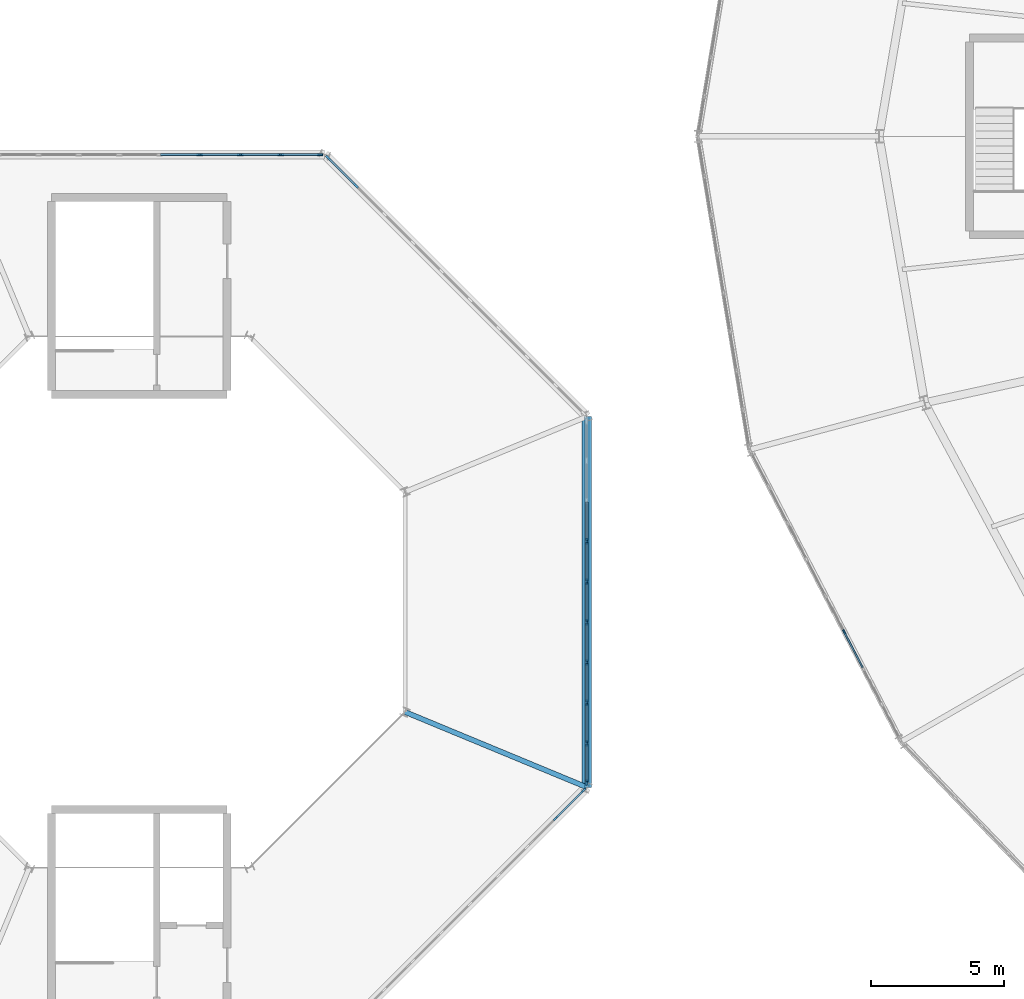
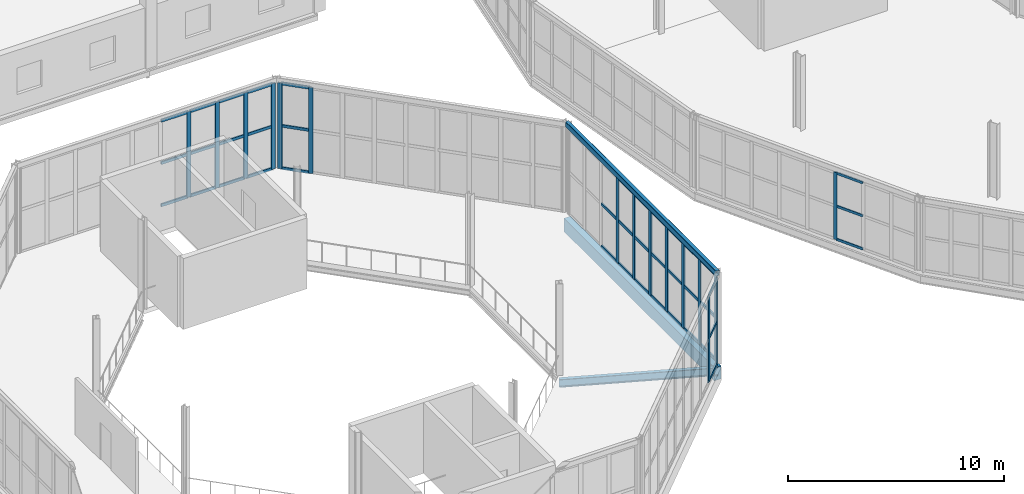
# One storey, part 50 of 161: 57 members, 3 beams, 5 elements without a shape of their own.
"""IFC4 building model written with IfcOpenShell, lengths in metres."""

from ifc_helpers import new_model, si_unit, direction, frame, origin, origin_2d, place, context, subcontext, project, spatial, rectangle, hollow_rectangle, i_section, extrude, material, material_profile, profile_set, type_object, element, aggregate, save


model = new_model("IFC4")

# Units and contexts
model_context = context("Model", 3, precision=1e-05, world=origin(), true_north=direction((0.0, 1.0)))
body_context = subcontext(model_context, "Body", "Model", "MODEL_VIEW")
ifc_project = project(units=[si_unit("LENGTHUNIT", "METRE"), si_unit("AREAUNIT", "SQUARE_METRE"), si_unit("VOLUMEUNIT", "CUBIC_METRE"), si_unit("PLANEANGLEUNIT", "RADIAN"), si_unit("MASSUNIT", "GRAM", prefix="KILO")], contexts=[model_context])

# Site, building, storey
site_placement = place(None, origin())
site = spatial("IfcSite", under=ifc_project, at=site_placement, CompositionType="ELEMENT")
building_placement = place(site_placement, origin())
building = spatial("IfcBuilding", under=site, at=building_placement, Name="Kildeholm Park Wholesale Market", CompositionType="ELEMENT")
storey_placement = place(building_placement, frame((0.0, 0.0, 5.39990234375)))
storey = spatial("IfcBuildingStorey", under=building, at=storey_placement, Name="L01", CompositionType="ELEMENT", Elevation=5.39990234375)

# Beams
ifc_material_1 = material(Name="Steel S355", Category="steel")
ifc_material_profile_1 = material_profile(ifc_material_1, i_section(OverallWidth=0.18994140625, OverallDepth=0.449951171875, WebThickness=0.009521484375, FlangeThickness=0.0146484375, FilletRadius=0.02099609375, at=origin_2d()), Name="IPE 450")
ifc_profile_set_1 = profile_set([ifc_material_profile_1], Name="Steel S355")
beam_type_1 = type_object("IfcBeamType", Name="Beam B-P02 IPE 450", PredefinedType="BEAM", material=ifc_profile_set_1)
beam_1_placement = place(storey_placement, frame((30.97802734375, 67.866943359375, -0.494873046875), z_axis=(0.923875293758, -0.382693665462, 0.0), x_axis=(0.382693665462, 0.923875293758, 0.0)))
element("IfcBeam", 1, at=beam_1_placement, inside=storey, type_object=beam_type_1, Name="Beam BM-V3-L01-R-07 BM-0514", PredefinedType="BEAM", context=body_context, shape_type="SweptSolid", body=[
    extrude(i_section(OverallWidth=0.18994140625, OverallDepth=0.449951171875, WebThickness=0.009521484375, FlangeThickness=0.0146484375, FilletRadius=0.02099609375, at=origin_2d()), origin(), (0.0, 0.0, 1.0), 7.400146484375),
])
ifc_material_profile_2 = material_profile(ifc_material_1, hollow_rectangle(XDim=0.199951171875, YDim=0.300048828125, WallThickness=0.012451171875, InnerFilletRadius=0.012451171875, OuterFilletRadius=0.02490234375, at=origin_2d()), Name="RHS 300x200x12.5")
ifc_profile_set_2 = profile_set([ifc_material_profile_2], Name="Steel S355")
beam_type_2 = type_object("IfcBeamType", Name="Beam SP-01 RHS 300x200x12.5", PredefinedType="SPANDREL", material=ifc_profile_set_2)
beam_2_placement = place(storey_placement, frame((37.81494140625, 65.034912109375, 5.00927734375), z_axis=(0.0, 1.0, 0.0), x_axis=(-1.0, 0.0, 0.0)))
element("IfcBeam", 2, at=beam_2_placement, inside=storey, type_object=beam_type_2, Name="Beam BM-V3-EAV-07 BM-0517", PredefinedType="SPANDREL", context=body_context, shape_type="SweptSolid", body=[
    extrude(hollow_rectangle(XDim=0.199951171875, YDim=0.300048828125, WallThickness=0.012451171875, InnerFilletRadius=0.012451171875, OuterFilletRadius=0.02490234375, at=origin_2d()), origin(), (0.0, 0.0, 1.0), 13.93017578125),
])
ifc_material_2 = material(Name="Precast concrete C40/50", Category="concrete")
ifc_material_profile_3 = material_profile(ifc_material_2, rectangle(XDim=0.35009765625, YDim=0.75, at=origin_2d()), Name="PC-SP 350x750")
ifc_profile_set_3 = profile_set([ifc_material_profile_3], Name="Precast concrete C40/50")
beam_type_3 = type_object("IfcBeamType", Name="Beam SP-03 PC-SP 350x750", PredefinedType="SPANDREL", material=ifc_profile_set_3)
beam_3_placement = place(storey_placement, frame((37.81494140625, 65.034912109375, -0.64501953125), z_axis=(0.0, 1.0, 0.0), x_axis=(-1.0, 0.0, 0.0)))
element("IfcBeam", 3, at=beam_3_placement, inside=storey, type_object=beam_type_3, Name="Beam BM-V3-L01-CO-07 BM-0516", PredefinedType="SPANDREL", context=body_context, shape_type="SweptSolid", body=[
    extrude(rectangle(XDim=0.35009765625, YDim=0.75, at=origin_2d()), origin(), (0.0, 0.0, 1.0), 13.93017578125),
])

# Curtain wall, member
ifc_material_3 = material(Name="Anodised aluminium and low-E double-glazed glass", Category="aluminium")
curtain_wall_type_1 = type_object("IfcCurtainWallType", Name="Market hall glazed arcade stick curtain wall CW-01", PredefinedType="NOTDEFINED", material=ifc_material_3)
curtain_wall_1_placement = place(storey_placement, origin())
curtain_wall_1 = element("IfcCurtainWall", 4, at=curtain_wall_1_placement, inside=storey, type_object=curtain_wall_type_1, Name="Curtain wall CW-V1-OT-13-1 CW-0064", PredefinedType="NOTDEFINED")
ifc_material_4 = material(Name="Anodised aluminium", Category="aluminium")
ifc_material_profile_4 = material_profile(ifc_material_4, rectangle(XDim=0.06494140625, YDim=0.179931640625, at=origin_2d()), Name="CWM 65x180")
ifc_profile_set_4 = profile_set([ifc_material_profile_4], Name="Anodised aluminium")
member_type_1 = type_object("IfcMemberType", Name="Curtain-wall mullion CWM-1 CWM 65x180", PredefinedType="MULLION", material=ifc_profile_set_4)
member_1_placement = place(storey_placement, frame((47.49072265625, 70.8720703125, 0.0), z_axis=(0.0, 0.0, 1.0), x_axis=(0.88765224586, 0.460514375909, 0.0)))
member_1 = element("IfcMember", 5, at=member_1_placement, type_object=member_type_1, Name="CW-01 mullion 6 MEM-2126", PredefinedType="MULLION", context=body_context, shape_type="SweptSolid", body=[
    extrude(rectangle(XDim=0.06494140625, YDim=0.179931640625, at=origin_2d()), origin(), (0.0, 0.0, 1.0), 3.800048828125),
])

# Curtain wall, members
curtain_wall_type_2 = type_object("IfcCurtainWallType", Name="Clerestory daylight stick curtain wall CW-02", PredefinedType="NOTDEFINED", material=ifc_material_3)
curtain_wall_2_placement = place(storey_placement, origin())
curtain_wall_2 = element("IfcCurtainWall", 6, at=curtain_wall_2_placement, inside=storey, type_object=curtain_wall_type_2, Name="Curtain wall CW-V3-L01-00 CW-0135", PredefinedType="NOTDEFINED")
ifc_material_profile_5 = material_profile(ifc_material_4, rectangle(XDim=0.074951171875, YDim=0.219970703125, at=origin_2d()), Name="CWM 75x220")
ifc_profile_set_5 = profile_set([ifc_material_profile_5], Name="Anodised aluminium")
member_type_2 = type_object("IfcMemberType", Name="Curtain-wall mullion CWM-2 CWM 75x220", PredefinedType="MULLION", material=ifc_profile_set_5)
member_2_placement = place(storey_placement, frame((29.136474609375, 87.6435546875, 0.0), z_axis=(0.0, 0.0, 1.0), x_axis=(-0.707106781187, -0.707106781187, 0.0)))
member_2 = element("IfcMember", 7, at=member_2_placement, type_object=member_type_2, Name="CW-02 mullion 9 MEM-4152", PredefinedType="MULLION", context=body_context, shape_type="SweptSolid", body=[
    extrude(rectangle(XDim=0.074951171875, YDim=0.219970703125, at=origin_2d()), origin(), (0.0, 0.0, 1.0), 4.85009765625),
])
member_3_placement = place(storey_placement, frame((28.090576171875, 88.689453125, 0.0), z_axis=(0.0, 0.0, 1.0), x_axis=(-0.707106781187, -0.707106781187, 0.0)))
member_3 = element("IfcMember", 8, at=member_3_placement, type_object=member_type_2, Name="CW-02 mullion 10 MEM-4153", PredefinedType="MULLION", context=body_context, shape_type="SweptSolid", body=[
    extrude(rectangle(XDim=0.074951171875, YDim=0.219970703125, at=origin_2d()), origin(), (0.0, 0.0, 1.0), 4.85009765625),
])

curtain_wall_3_placement = place(storey_placement, origin())
curtain_wall_3 = element("IfcCurtainWall", 9, at=curtain_wall_3_placement, inside=storey, type_object=curtain_wall_type_2, Name="Curtain wall CW-V3-L01-01 CW-0136", PredefinedType="NOTDEFINED")
member_4_placement = place(storey_placement, frame((27.78759765625, 88.81494140625, 0.0), z_axis=(0.0, 0.0, 1.0), x_axis=(0.0, -1.0, 0.0)))
member_4 = element("IfcMember", 10, at=member_4_placement, type_object=member_type_2, Name="CW-02 mullion 1 MEM-4181", PredefinedType="MULLION", context=body_context, shape_type="SweptSolid", body=[
    extrude(rectangle(XDim=0.074951171875, YDim=0.219970703125, at=origin_2d()), origin(), (0.0, 0.0, 1.0), 4.85009765625),
])
member_5_placement = place(storey_placement, frame((26.308349609375, 88.81494140625, 0.0), z_axis=(0.0, 0.0, 1.0), x_axis=(0.0, -1.0, 0.0)))
member_5 = element("IfcMember", 11, at=member_5_placement, type_object=member_type_2, Name="CW-02 mullion 2 MEM-4182", PredefinedType="MULLION", context=body_context, shape_type="SweptSolid", body=[
    extrude(rectangle(XDim=0.074951171875, YDim=0.219970703125, at=origin_2d()), origin(), (0.0, 0.0, 1.0), 4.85009765625),
])
member_6_placement = place(storey_placement, frame((24.791748046875, 88.81494140625, 0.0), z_axis=(0.0, 0.0, 1.0), x_axis=(0.0, -1.0, 0.0)))
member_6 = element("IfcMember", 12, at=member_6_placement, type_object=member_type_2, Name="CW-02 mullion 3 MEM-4183", PredefinedType="MULLION", context=body_context, shape_type="SweptSolid", body=[
    extrude(rectangle(XDim=0.074951171875, YDim=0.219970703125, at=origin_2d()), origin(), (0.0, 0.0, 1.0), 4.85009765625),
])
member_7_placement = place(storey_placement, frame((23.27490234375, 88.81494140625, 0.0), z_axis=(0.0, 0.0, 1.0), x_axis=(0.0, -1.0, 0.0)))
member_7 = element("IfcMember", 13, at=member_7_placement, type_object=member_type_2, Name="CW-02 mullion 4 MEM-4184", PredefinedType="MULLION", context=body_context, shape_type="SweptSolid", body=[
    extrude(rectangle(XDim=0.074951171875, YDim=0.219970703125, at=origin_2d()), origin(), (0.0, 0.0, 1.0), 4.85009765625),
])

curtain_wall_4_placement = place(storey_placement, origin())
curtain_wall_4 = element("IfcCurtainWall", 14, at=curtain_wall_4_placement, inside=storey, type_object=curtain_wall_type_2, Name="Curtain wall CW-V3-L01-06 CW-0141", PredefinedType="NOTDEFINED")
member_8_placement = place(storey_placement, frame((36.6435546875, 63.863525390625, 0.0), z_axis=(0.0, 0.0, 1.0), x_axis=(-0.707106781187, 0.707106781187, 0.0)))
member_8 = element("IfcMember", 15, at=member_8_placement, type_object=member_type_2, Name="CW-02 mullion 9 MEM-4374", PredefinedType="MULLION", context=body_context, shape_type="SweptSolid", body=[
    extrude(rectangle(XDim=0.074951171875, YDim=0.219970703125, at=origin_2d()), origin(), (0.0, 0.0, 1.0), 4.85009765625),
])
member_9_placement = place(storey_placement, frame((37.689453125, 64.909423828125, 0.0), z_axis=(0.0, 0.0, 1.0), x_axis=(-0.707106781187, 0.707106781187, 0.0)))
member_9 = element("IfcMember", 16, at=member_9_placement, type_object=member_type_2, Name="CW-02 mullion 10 MEM-4375", PredefinedType="MULLION", context=body_context, shape_type="SweptSolid", body=[
    extrude(rectangle(XDim=0.074951171875, YDim=0.219970703125, at=origin_2d()), origin(), (0.0, 0.0, 1.0), 4.85009765625),
])

curtain_wall_5_placement = place(storey_placement, origin())
curtain_wall_5 = element("IfcCurtainWall", 17, at=curtain_wall_5_placement, inside=storey, type_object=curtain_wall_type_2, Name="Curtain wall CW-V3-L01-07 CW-0142", PredefinedType="NOTDEFINED")
member_10_placement = place(storey_placement, frame((37.81494140625, 65.21240234375, 0.0), z_axis=(0.0, 0.0, 1.0), x_axis=(-1.0, 0.0, 0.0)))
member_10 = element("IfcMember", 18, at=member_10_placement, type_object=member_type_2, Name="CW-02 mullion 1 MEM-4403", PredefinedType="MULLION", context=body_context, shape_type="SweptSolid", body=[
    extrude(rectangle(XDim=0.074951171875, YDim=0.219970703125, at=origin_2d()), origin(), (0.0, 0.0, 1.0), 4.85009765625),
])
member_11_placement = place(storey_placement, frame((37.81494140625, 66.691650390625, 0.0), z_axis=(0.0, 0.0, 1.0), x_axis=(-1.0, 0.0, 0.0)))
member_11 = element("IfcMember", 19, at=member_11_placement, type_object=member_type_2, Name="CW-02 mullion 2 MEM-4404", PredefinedType="MULLION", context=body_context, shape_type="SweptSolid", body=[
    extrude(rectangle(XDim=0.074951171875, YDim=0.219970703125, at=origin_2d()), origin(), (0.0, 0.0, 1.0), 4.85009765625),
])
member_12_placement = place(storey_placement, frame((37.81494140625, 68.208251953125, 0.0), z_axis=(0.0, 0.0, 1.0), x_axis=(-1.0, 0.0, 0.0)))
member_12 = element("IfcMember", 20, at=member_12_placement, type_object=member_type_2, Name="CW-02 mullion 3 MEM-4405", PredefinedType="MULLION", context=body_context, shape_type="SweptSolid", body=[
    extrude(rectangle(XDim=0.074951171875, YDim=0.219970703125, at=origin_2d()), origin(), (0.0, 0.0, 1.0), 4.85009765625),
])
member_13_placement = place(storey_placement, frame((37.81494140625, 69.72509765625, 0.0), z_axis=(0.0, 0.0, 1.0), x_axis=(-1.0, 0.0, 0.0)))
member_13 = element("IfcMember", 21, at=member_13_placement, type_object=member_type_2, Name="CW-02 mullion 4 MEM-4406", PredefinedType="MULLION", context=body_context, shape_type="SweptSolid", body=[
    extrude(rectangle(XDim=0.074951171875, YDim=0.219970703125, at=origin_2d()), origin(), (0.0, 0.0, 1.0), 4.85009765625),
])
member_14_placement = place(storey_placement, frame((37.81494140625, 71.24169921875, 0.0), z_axis=(0.0, 0.0, 1.0), x_axis=(-1.0, 0.0, 0.0)))
member_14 = element("IfcMember", 22, at=member_14_placement, type_object=member_type_2, Name="CW-02 mullion 5 MEM-4407", PredefinedType="MULLION", context=body_context, shape_type="SweptSolid", body=[
    extrude(rectangle(XDim=0.074951171875, YDim=0.219970703125, at=origin_2d()), origin(), (0.0, 0.0, 1.0), 4.85009765625),
])
member_15_placement = place(storey_placement, frame((37.81494140625, 72.75830078125, 0.0), z_axis=(0.0, 0.0, 1.0), x_axis=(-1.0, 0.0, 0.0)))
member_15 = element("IfcMember", 23, at=member_15_placement, type_object=member_type_2, Name="CW-02 mullion 6 MEM-4408", PredefinedType="MULLION", context=body_context, shape_type="SweptSolid", body=[
    extrude(rectangle(XDim=0.074951171875, YDim=0.219970703125, at=origin_2d()), origin(), (0.0, 0.0, 1.0), 4.85009765625),
])
member_16_placement = place(storey_placement, frame((37.81494140625, 74.27490234375, 0.0), z_axis=(0.0, 0.0, 1.0), x_axis=(-1.0, 0.0, 0.0)))
member_16 = element("IfcMember", 24, at=member_16_placement, type_object=member_type_2, Name="CW-02 mullion 7 MEM-4409", PredefinedType="MULLION", context=body_context, shape_type="SweptSolid", body=[
    extrude(rectangle(XDim=0.074951171875, YDim=0.219970703125, at=origin_2d()), origin(), (0.0, 0.0, 1.0), 4.85009765625),
])

# Member
ifc_material_profile_6 = material_profile(ifc_material_4, rectangle(XDim=0.06494140625, YDim=0.139892578125, at=origin_2d()), Name="CWT 65x140")
ifc_profile_set_6 = profile_set([ifc_material_profile_6], Name="Anodised aluminium")
member_type_3 = type_object("IfcMemberType", Name="Curtain-wall transom CWT-1 CWT 65x140", PredefinedType="USERDEFINED", material=ifc_profile_set_6)
member_17_placement = place(storey_placement, frame((47.505615234375, 70.84326171875, 0.03271484375), z_axis=(0.460510981056, -0.887654007104, 0.0), x_axis=(0.887654007104, 0.460510981056, 0.0)))
member_17 = element("IfcMember", 25, at=member_17_placement, type_object=member_type_3, Name="CW-01 transom 6.1 MEM-2145", ObjectType="TRANSOM", PredefinedType="USERDEFINED", context=body_context, shape_type="SweptSolid", body=[
    extrude(rectangle(XDim=0.06494140625, YDim=0.139892578125, at=origin_2d()), origin(), (0.0, 0.0, 1.0), 1.470703125),
])

member_18_placement = place(storey_placement, frame((47.505615234375, 70.84326171875, 1.900146484375), z_axis=(0.460510981056, -0.887654007104, 0.0), x_axis=(0.887654007104, 0.460510981056, 0.0)))
member_18 = element("IfcMember", 26, at=member_18_placement, type_object=member_type_3, Name="CW-01 transom 6.2 MEM-2146", ObjectType="TRANSOM", PredefinedType="USERDEFINED", context=body_context, shape_type="SweptSolid", body=[
    extrude(rectangle(XDim=0.06494140625, YDim=0.139892578125, at=origin_2d()), origin(), (0.0, 0.0, 1.0), 1.470703125),
])

member_19_placement = place(storey_placement, frame((47.505615234375, 70.84326171875, 3.767578125), z_axis=(0.460510981056, -0.887654007104, 0.0), x_axis=(0.887654007104, 0.460510981056, 0.0)))
member_19 = element("IfcMember", 27, at=member_19_placement, type_object=member_type_3, Name="CW-01 transom 6.3 MEM-2147", ObjectType="TRANSOM", PredefinedType="USERDEFINED", context=body_context, shape_type="SweptSolid", body=[
    extrude(rectangle(XDim=0.06494140625, YDim=0.139892578125, at=origin_2d()), origin(), (0.0, 0.0, 1.0), 1.470703125),
])

aggregate(curtain_wall_1, [member_1, member_17, member_18, member_19])

ifc_material_profile_7 = material_profile(ifc_material_4, rectangle(XDim=0.074951171875, YDim=0.159912109375, at=origin_2d()), Name="CWT 75x160")
ifc_profile_set_7 = profile_set([ifc_material_profile_7], Name="Anodised aluminium")
member_type_4 = type_object("IfcMemberType", Name="Curtain-wall transom CWT-2 CWT 75x160", PredefinedType="USERDEFINED", material=ifc_profile_set_7)
member_20_placement = place(storey_placement, frame((29.10986328125, 87.670166015625, 0.03759765625), z_axis=(-0.707106781187, 0.707106781187, 0.0), x_axis=(-0.707106781187, -0.707106781187, 0.0)))
member_20 = element("IfcMember", 28, at=member_20_placement, type_object=member_type_4, Name="CW-02 transom 9.1 MEM-4178", ObjectType="TRANSOM", PredefinedType="USERDEFINED", context=body_context, shape_type="SweptSolid", body=[
    extrude(rectangle(XDim=0.074951171875, YDim=0.159912109375, at=origin_2d()), origin(), (0.0, 0.0, 1.0), 1.404296875),
])

member_21_placement = place(storey_placement, frame((29.10986328125, 87.670166015625, 2.425048828125), z_axis=(-0.707106781187, 0.707106781187, 0.0), x_axis=(-0.707106781187, -0.707106781187, 0.0)))
member_21 = element("IfcMember", 29, at=member_21_placement, type_object=member_type_4, Name="CW-02 transom 9.2 MEM-4179", ObjectType="TRANSOM", PredefinedType="USERDEFINED", context=body_context, shape_type="SweptSolid", body=[
    extrude(rectangle(XDim=0.074951171875, YDim=0.159912109375, at=origin_2d()), origin(), (0.0, 0.0, 1.0), 1.404296875),
])

member_22_placement = place(storey_placement, frame((29.10986328125, 87.670166015625, 4.8125), z_axis=(-0.707106781187, 0.707106781187, 0.0), x_axis=(-0.707106781187, -0.707106781187, 0.0)))
member_22 = element("IfcMember", 30, at=member_22_placement, type_object=member_type_4, Name="CW-02 transom 9.3 MEM-4180", ObjectType="TRANSOM", PredefinedType="USERDEFINED", context=body_context, shape_type="SweptSolid", body=[
    extrude(rectangle(XDim=0.074951171875, YDim=0.159912109375, at=origin_2d()), origin(), (0.0, 0.0, 1.0), 1.404296875),
])

aggregate(curtain_wall_2, [member_2, member_3, member_20, member_21, member_22])

member_23_placement = place(storey_placement, frame((27.75, 88.81494140625, 0.03759765625), z_axis=(-1.0, 0.0, 0.0), x_axis=(0.0, -1.0, 0.0)))
member_23 = element("IfcMember", 31, at=member_23_placement, type_object=member_type_4, Name="CW-02 transom 1.1 MEM-4191", ObjectType="TRANSOM", PredefinedType="USERDEFINED", context=body_context, shape_type="SweptSolid", body=[
    extrude(rectangle(XDim=0.074951171875, YDim=0.159912109375, at=origin_2d()), origin(), (0.0, 0.0, 1.0), 1.404052734375),
])

member_24_placement = place(storey_placement, frame((27.75, 88.81494140625, 2.425048828125), z_axis=(-1.0, 0.0, 0.0), x_axis=(0.0, -1.0, 0.0)))
member_24 = element("IfcMember", 32, at=member_24_placement, type_object=member_type_4, Name="CW-02 transom 1.2 MEM-4192", ObjectType="TRANSOM", PredefinedType="USERDEFINED", context=body_context, shape_type="SweptSolid", body=[
    extrude(rectangle(XDim=0.074951171875, YDim=0.159912109375, at=origin_2d()), origin(), (0.0, 0.0, 1.0), 1.404052734375),
])

member_25_placement = place(storey_placement, frame((27.75, 88.81494140625, 4.8125), z_axis=(-1.0, 0.0, 0.0), x_axis=(0.0, -1.0, 0.0)))
member_25 = element("IfcMember", 33, at=member_25_placement, type_object=member_type_4, Name="CW-02 transom 1.3 MEM-4193", ObjectType="TRANSOM", PredefinedType="USERDEFINED", context=body_context, shape_type="SweptSolid", body=[
    extrude(rectangle(XDim=0.074951171875, YDim=0.159912109375, at=origin_2d()), origin(), (0.0, 0.0, 1.0), 1.404052734375),
])

member_26_placement = place(storey_placement, frame((26.270751953125, 88.81494140625, 0.03759765625), z_axis=(-1.0, 0.0, 0.0), x_axis=(0.0, -1.0, 0.0)))
member_26 = element("IfcMember", 34, at=member_26_placement, type_object=member_type_4, Name="CW-02 transom 2.1 MEM-4194", ObjectType="TRANSOM", PredefinedType="USERDEFINED", context=body_context, shape_type="SweptSolid", body=[
    extrude(rectangle(XDim=0.074951171875, YDim=0.159912109375, at=origin_2d()), origin(), (0.0, 0.0, 1.0), 1.441650390625),
])

member_27_placement = place(storey_placement, frame((26.270751953125, 88.81494140625, 2.425048828125), z_axis=(-1.0, 0.0, 0.0), x_axis=(0.0, -1.0, 0.0)))
member_27 = element("IfcMember", 35, at=member_27_placement, type_object=member_type_4, Name="CW-02 transom 2.2 MEM-4195", ObjectType="TRANSOM", PredefinedType="USERDEFINED", context=body_context, shape_type="SweptSolid", body=[
    extrude(rectangle(XDim=0.074951171875, YDim=0.159912109375, at=origin_2d()), origin(), (0.0, 0.0, 1.0), 1.441650390625),
])

member_28_placement = place(storey_placement, frame((26.270751953125, 88.81494140625, 4.8125), z_axis=(-1.0, 0.0, 0.0), x_axis=(0.0, -1.0, 0.0)))
member_28 = element("IfcMember", 36, at=member_28_placement, type_object=member_type_4, Name="CW-02 transom 2.3 MEM-4196", ObjectType="TRANSOM", PredefinedType="USERDEFINED", context=body_context, shape_type="SweptSolid", body=[
    extrude(rectangle(XDim=0.074951171875, YDim=0.159912109375, at=origin_2d()), origin(), (0.0, 0.0, 1.0), 1.441650390625),
])

member_29_placement = place(storey_placement, frame((24.754150390625, 88.81494140625, 0.03759765625), z_axis=(-1.0, 0.0, 0.0), x_axis=(0.0, -1.0, 0.0)))
member_29 = element("IfcMember", 37, at=member_29_placement, type_object=member_type_4, Name="CW-02 transom 3.1 MEM-4197", ObjectType="TRANSOM", PredefinedType="USERDEFINED", context=body_context, shape_type="SweptSolid", body=[
    extrude(rectangle(XDim=0.074951171875, YDim=0.159912109375, at=origin_2d()), origin(), (0.0, 0.0, 1.0), 1.441650390625),
])

member_30_placement = place(storey_placement, frame((24.754150390625, 88.81494140625, 2.425048828125), z_axis=(-1.0, 0.0, 0.0), x_axis=(0.0, -1.0, 0.0)))
member_30 = element("IfcMember", 38, at=member_30_placement, type_object=member_type_4, Name="CW-02 transom 3.2 MEM-4198", ObjectType="TRANSOM", PredefinedType="USERDEFINED", context=body_context, shape_type="SweptSolid", body=[
    extrude(rectangle(XDim=0.074951171875, YDim=0.159912109375, at=origin_2d()), origin(), (0.0, 0.0, 1.0), 1.441650390625),
])

member_31_placement = place(storey_placement, frame((24.754150390625, 88.81494140625, 4.8125), z_axis=(-1.0, 0.0, 0.0), x_axis=(0.0, -1.0, 0.0)))
member_31 = element("IfcMember", 39, at=member_31_placement, type_object=member_type_4, Name="CW-02 transom 3.3 MEM-4199", ObjectType="TRANSOM", PredefinedType="USERDEFINED", context=body_context, shape_type="SweptSolid", body=[
    extrude(rectangle(XDim=0.074951171875, YDim=0.159912109375, at=origin_2d()), origin(), (0.0, 0.0, 1.0), 1.441650390625),
])

member_32_placement = place(storey_placement, frame((23.237548828125, 88.81494140625, 0.03759765625), z_axis=(-1.0, 0.0, 0.0), x_axis=(0.0, -1.0, 0.0)))
member_32 = element("IfcMember", 40, at=member_32_placement, type_object=member_type_4, Name="CW-02 transom 4.1 MEM-4200", ObjectType="TRANSOM", PredefinedType="USERDEFINED", context=body_context, shape_type="SweptSolid", body=[
    extrude(rectangle(XDim=0.074951171875, YDim=0.159912109375, at=origin_2d()), origin(), (0.0, 0.0, 1.0), 1.441650390625),
])

member_33_placement = place(storey_placement, frame((23.237548828125, 88.81494140625, 2.425048828125), z_axis=(-1.0, 0.0, 0.0), x_axis=(0.0, -1.0, 0.0)))
member_33 = element("IfcMember", 41, at=member_33_placement, type_object=member_type_4, Name="CW-02 transom 4.2 MEM-4201", ObjectType="TRANSOM", PredefinedType="USERDEFINED", context=body_context, shape_type="SweptSolid", body=[
    extrude(rectangle(XDim=0.074951171875, YDim=0.159912109375, at=origin_2d()), origin(), (0.0, 0.0, 1.0), 1.441650390625),
])

member_34_placement = place(storey_placement, frame((23.237548828125, 88.81494140625, 4.8125), z_axis=(-1.0, 0.0, 0.0), x_axis=(0.0, -1.0, 0.0)))
member_34 = element("IfcMember", 42, at=member_34_placement, type_object=member_type_4, Name="CW-02 transom 4.3 MEM-4202", ObjectType="TRANSOM", PredefinedType="USERDEFINED", context=body_context, shape_type="SweptSolid", body=[
    extrude(rectangle(XDim=0.074951171875, YDim=0.159912109375, at=origin_2d()), origin(), (0.0, 0.0, 1.0), 1.441650390625),
])

aggregate(curtain_wall_3, [member_4, member_5, member_6, member_7, member_23, member_24, member_25, member_26, member_27, member_28, member_29, member_30, member_31, member_32, member_33, member_34])

member_35_placement = place(storey_placement, frame((36.670166015625, 63.89013671875, 0.03759765625), z_axis=(0.707106781187, 0.707106781187, 0.0), x_axis=(-0.707106781187, 0.707106781187, 0.0)))
member_35 = element("IfcMember", 43, at=member_35_placement, type_object=member_type_4, Name="CW-02 transom 9.1 MEM-4400", ObjectType="TRANSOM", PredefinedType="USERDEFINED", context=body_context, shape_type="SweptSolid", body=[
    extrude(rectangle(XDim=0.074951171875, YDim=0.159912109375, at=origin_2d()), origin(), (0.0, 0.0, 1.0), 1.404296875),
])

member_36_placement = place(storey_placement, frame((36.670166015625, 63.89013671875, 2.425048828125), z_axis=(0.707106781187, 0.707106781187, 0.0), x_axis=(-0.707106781187, 0.707106781187, 0.0)))
member_36 = element("IfcMember", 44, at=member_36_placement, type_object=member_type_4, Name="CW-02 transom 9.2 MEM-4401", ObjectType="TRANSOM", PredefinedType="USERDEFINED", context=body_context, shape_type="SweptSolid", body=[
    extrude(rectangle(XDim=0.074951171875, YDim=0.159912109375, at=origin_2d()), origin(), (0.0, 0.0, 1.0), 1.404296875),
])

member_37_placement = place(storey_placement, frame((36.670166015625, 63.89013671875, 4.8125), z_axis=(0.707106781187, 0.707106781187, 0.0), x_axis=(-0.707106781187, 0.707106781187, 0.0)))
member_37 = element("IfcMember", 45, at=member_37_placement, type_object=member_type_4, Name="CW-02 transom 9.3 MEM-4402", ObjectType="TRANSOM", PredefinedType="USERDEFINED", context=body_context, shape_type="SweptSolid", body=[
    extrude(rectangle(XDim=0.074951171875, YDim=0.159912109375, at=origin_2d()), origin(), (0.0, 0.0, 1.0), 1.404296875),
])

aggregate(curtain_wall_4, [member_8, member_9, member_35, member_36, member_37])

member_38_placement = place(storey_placement, frame((37.81494140625, 65.25, 0.03759765625), z_axis=(0.0, 1.0, 0.0), x_axis=(-1.0, 0.0, 0.0)))
member_38 = element("IfcMember", 46, at=member_38_placement, type_object=member_type_4, Name="CW-02 transom 1.1 MEM-4413", ObjectType="TRANSOM", PredefinedType="USERDEFINED", context=body_context, shape_type="SweptSolid", body=[
    extrude(rectangle(XDim=0.074951171875, YDim=0.159912109375, at=origin_2d()), origin(), (0.0, 0.0, 1.0), 1.404052734375),
])

member_39_placement = place(storey_placement, frame((37.81494140625, 65.25, 2.425048828125), z_axis=(0.0, 1.0, 0.0), x_axis=(-1.0, 0.0, 0.0)))
member_39 = element("IfcMember", 47, at=member_39_placement, type_object=member_type_4, Name="CW-02 transom 1.2 MEM-4414", ObjectType="TRANSOM", PredefinedType="USERDEFINED", context=body_context, shape_type="SweptSolid", body=[
    extrude(rectangle(XDim=0.074951171875, YDim=0.159912109375, at=origin_2d()), origin(), (0.0, 0.0, 1.0), 1.404052734375),
])

member_40_placement = place(storey_placement, frame((37.81494140625, 65.25, 4.8125), z_axis=(0.0, 1.0, 0.0), x_axis=(-1.0, 0.0, 0.0)))
member_40 = element("IfcMember", 48, at=member_40_placement, type_object=member_type_4, Name="CW-02 transom 1.3 MEM-4415", ObjectType="TRANSOM", PredefinedType="USERDEFINED", context=body_context, shape_type="SweptSolid", body=[
    extrude(rectangle(XDim=0.074951171875, YDim=0.159912109375, at=origin_2d()), origin(), (0.0, 0.0, 1.0), 1.404052734375),
])

member_41_placement = place(storey_placement, frame((37.81494140625, 66.729248046875, 0.03759765625), z_axis=(0.0, 1.0, 0.0), x_axis=(-1.0, 0.0, 0.0)))
member_41 = element("IfcMember", 49, at=member_41_placement, type_object=member_type_4, Name="CW-02 transom 2.1 MEM-4416", ObjectType="TRANSOM", PredefinedType="USERDEFINED", context=body_context, shape_type="SweptSolid", body=[
    extrude(rectangle(XDim=0.074951171875, YDim=0.159912109375, at=origin_2d()), origin(), (0.0, 0.0, 1.0), 1.441650390625),
])

member_42_placement = place(storey_placement, frame((37.81494140625, 66.729248046875, 2.425048828125), z_axis=(0.0, 1.0, 0.0), x_axis=(-1.0, 0.0, 0.0)))
member_42 = element("IfcMember", 50, at=member_42_placement, type_object=member_type_4, Name="CW-02 transom 2.2 MEM-4417", ObjectType="TRANSOM", PredefinedType="USERDEFINED", context=body_context, shape_type="SweptSolid", body=[
    extrude(rectangle(XDim=0.074951171875, YDim=0.159912109375, at=origin_2d()), origin(), (0.0, 0.0, 1.0), 1.441650390625),
])

member_43_placement = place(storey_placement, frame((37.81494140625, 66.729248046875, 4.8125), z_axis=(0.0, 1.0, 0.0), x_axis=(-1.0, 0.0, 0.0)))
member_43 = element("IfcMember", 51, at=member_43_placement, type_object=member_type_4, Name="CW-02 transom 2.3 MEM-4418", ObjectType="TRANSOM", PredefinedType="USERDEFINED", context=body_context, shape_type="SweptSolid", body=[
    extrude(rectangle(XDim=0.074951171875, YDim=0.159912109375, at=origin_2d()), origin(), (0.0, 0.0, 1.0), 1.441650390625),
])

member_44_placement = place(storey_placement, frame((37.81494140625, 68.245849609375, 0.03759765625), z_axis=(0.0, 1.0, 0.0), x_axis=(-1.0, 0.0, 0.0)))
member_44 = element("IfcMember", 52, at=member_44_placement, type_object=member_type_4, Name="CW-02 transom 3.1 MEM-4419", ObjectType="TRANSOM", PredefinedType="USERDEFINED", context=body_context, shape_type="SweptSolid", body=[
    extrude(rectangle(XDim=0.074951171875, YDim=0.159912109375, at=origin_2d()), origin(), (0.0, 0.0, 1.0), 1.441650390625),
])

member_45_placement = place(storey_placement, frame((37.81494140625, 68.245849609375, 2.425048828125), z_axis=(0.0, 1.0, 0.0), x_axis=(-1.0, 0.0, 0.0)))
member_45 = element("IfcMember", 53, at=member_45_placement, type_object=member_type_4, Name="CW-02 transom 3.2 MEM-4420", ObjectType="TRANSOM", PredefinedType="USERDEFINED", context=body_context, shape_type="SweptSolid", body=[
    extrude(rectangle(XDim=0.074951171875, YDim=0.159912109375, at=origin_2d()), origin(), (0.0, 0.0, 1.0), 1.441650390625),
])

member_46_placement = place(storey_placement, frame((37.81494140625, 68.245849609375, 4.8125), z_axis=(0.0, 1.0, 0.0), x_axis=(-1.0, 0.0, 0.0)))
member_46 = element("IfcMember", 54, at=member_46_placement, type_object=member_type_4, Name="CW-02 transom 3.3 MEM-4421", ObjectType="TRANSOM", PredefinedType="USERDEFINED", context=body_context, shape_type="SweptSolid", body=[
    extrude(rectangle(XDim=0.074951171875, YDim=0.159912109375, at=origin_2d()), origin(), (0.0, 0.0, 1.0), 1.441650390625),
])

member_47_placement = place(storey_placement, frame((37.81494140625, 69.762451171875, 0.03759765625), z_axis=(0.0, 1.0, 0.0), x_axis=(-1.0, 0.0, 0.0)))
member_47 = element("IfcMember", 55, at=member_47_placement, type_object=member_type_4, Name="CW-02 transom 4.1 MEM-4422", ObjectType="TRANSOM", PredefinedType="USERDEFINED", context=body_context, shape_type="SweptSolid", body=[
    extrude(rectangle(XDim=0.074951171875, YDim=0.159912109375, at=origin_2d()), origin(), (0.0, 0.0, 1.0), 1.441650390625),
])

member_48_placement = place(storey_placement, frame((37.81494140625, 69.762451171875, 2.425048828125), z_axis=(0.0, 1.0, 0.0), x_axis=(-1.0, 0.0, 0.0)))
member_48 = element("IfcMember", 56, at=member_48_placement, type_object=member_type_4, Name="CW-02 transom 4.2 MEM-4423", ObjectType="TRANSOM", PredefinedType="USERDEFINED", context=body_context, shape_type="SweptSolid", body=[
    extrude(rectangle(XDim=0.074951171875, YDim=0.159912109375, at=origin_2d()), origin(), (0.0, 0.0, 1.0), 1.441650390625),
])

member_49_placement = place(storey_placement, frame((37.81494140625, 69.762451171875, 4.8125), z_axis=(0.0, 1.0, 0.0), x_axis=(-1.0, 0.0, 0.0)))
member_49 = element("IfcMember", 57, at=member_49_placement, type_object=member_type_4, Name="CW-02 transom 4.3 MEM-4424", ObjectType="TRANSOM", PredefinedType="USERDEFINED", context=body_context, shape_type="SweptSolid", body=[
    extrude(rectangle(XDim=0.074951171875, YDim=0.159912109375, at=origin_2d()), origin(), (0.0, 0.0, 1.0), 1.441650390625),
])

member_50_placement = place(storey_placement, frame((37.81494140625, 71.279052734375, 0.03759765625), z_axis=(0.0, 1.0, 0.0), x_axis=(-1.0, 0.0, 0.0)))
member_50 = element("IfcMember", 58, at=member_50_placement, type_object=member_type_4, Name="CW-02 transom 5.1 MEM-4425", ObjectType="TRANSOM", PredefinedType="USERDEFINED", context=body_context, shape_type="SweptSolid", body=[
    extrude(rectangle(XDim=0.074951171875, YDim=0.159912109375, at=origin_2d()), origin(), (0.0, 0.0, 1.0), 1.44189453125),
])

member_51_placement = place(storey_placement, frame((37.81494140625, 71.279052734375, 2.425048828125), z_axis=(0.0, 1.0, 0.0), x_axis=(-1.0, 0.0, 0.0)))
member_51 = element("IfcMember", 59, at=member_51_placement, type_object=member_type_4, Name="CW-02 transom 5.2 MEM-4426", ObjectType="TRANSOM", PredefinedType="USERDEFINED", context=body_context, shape_type="SweptSolid", body=[
    extrude(rectangle(XDim=0.074951171875, YDim=0.159912109375, at=origin_2d()), origin(), (0.0, 0.0, 1.0), 1.44189453125),
])

member_52_placement = place(storey_placement, frame((37.81494140625, 71.279052734375, 4.8125), z_axis=(0.0, 1.0, 0.0), x_axis=(-1.0, 0.0, 0.0)))
member_52 = element("IfcMember", 60, at=member_52_placement, type_object=member_type_4, Name="CW-02 transom 5.3 MEM-4427", ObjectType="TRANSOM", PredefinedType="USERDEFINED", context=body_context, shape_type="SweptSolid", body=[
    extrude(rectangle(XDim=0.074951171875, YDim=0.159912109375, at=origin_2d()), origin(), (0.0, 0.0, 1.0), 1.44189453125),
])

member_53_placement = place(storey_placement, frame((37.81494140625, 72.7958984375, 0.03759765625), z_axis=(0.0, 1.0, 0.0), x_axis=(-1.0, 0.0, 0.0)))
member_53 = element("IfcMember", 61, at=member_53_placement, type_object=member_type_4, Name="CW-02 transom 6.1 MEM-4428", ObjectType="TRANSOM", PredefinedType="USERDEFINED", context=body_context, shape_type="SweptSolid", body=[
    extrude(rectangle(XDim=0.074951171875, YDim=0.159912109375, at=origin_2d()), origin(), (0.0, 0.0, 1.0), 1.441650390625),
])

member_54_placement = place(storey_placement, frame((37.81494140625, 72.7958984375, 2.425048828125), z_axis=(0.0, 1.0, 0.0), x_axis=(-1.0, 0.0, 0.0)))
member_54 = element("IfcMember", 62, at=member_54_placement, type_object=member_type_4, Name="CW-02 transom 6.2 MEM-4429", ObjectType="TRANSOM", PredefinedType="USERDEFINED", context=body_context, shape_type="SweptSolid", body=[
    extrude(rectangle(XDim=0.074951171875, YDim=0.159912109375, at=origin_2d()), origin(), (0.0, 0.0, 1.0), 1.441650390625),
])

member_55_placement = place(storey_placement, frame((37.81494140625, 72.7958984375, 4.8125), z_axis=(0.0, 1.0, 0.0), x_axis=(-1.0, 0.0, 0.0)))
member_55 = element("IfcMember", 63, at=member_55_placement, type_object=member_type_4, Name="CW-02 transom 6.3 MEM-4430", ObjectType="TRANSOM", PredefinedType="USERDEFINED", context=body_context, shape_type="SweptSolid", body=[
    extrude(rectangle(XDim=0.074951171875, YDim=0.159912109375, at=origin_2d()), origin(), (0.0, 0.0, 1.0), 1.441650390625),
])

member_56_placement = place(storey_placement, frame((37.81494140625, 74.3125, 0.03759765625), z_axis=(0.0, 1.0, 0.0), x_axis=(-1.0, 0.0, 0.0)))
member_56 = element("IfcMember", 64, at=member_56_placement, type_object=member_type_4, Name="CW-02 transom 7.1 MEM-4431", ObjectType="TRANSOM", PredefinedType="USERDEFINED", context=body_context, shape_type="SweptSolid", body=[
    extrude(rectangle(XDim=0.074951171875, YDim=0.159912109375, at=origin_2d()), origin(), (0.0, 0.0, 1.0), 1.441650390625),
])

member_57_placement = place(storey_placement, frame((37.81494140625, 74.3125, 2.425048828125), z_axis=(0.0, 1.0, 0.0), x_axis=(-1.0, 0.0, 0.0)))
member_57 = element("IfcMember", 65, at=member_57_placement, type_object=member_type_4, Name="CW-02 transom 7.2 MEM-4432", ObjectType="TRANSOM", PredefinedType="USERDEFINED", context=body_context, shape_type="SweptSolid", body=[
    extrude(rectangle(XDim=0.074951171875, YDim=0.159912109375, at=origin_2d()), origin(), (0.0, 0.0, 1.0), 1.441650390625),
])

aggregate(curtain_wall_5, [member_10, member_11, member_12, member_13, member_14, member_15, member_16, member_38, member_39, member_40, member_41, member_42, member_43, member_44, member_45, member_46, member_47, member_48, member_49, member_50, member_51, member_52, member_53, member_54, member_55, member_56, member_57])

save(model, "model.ifc")
